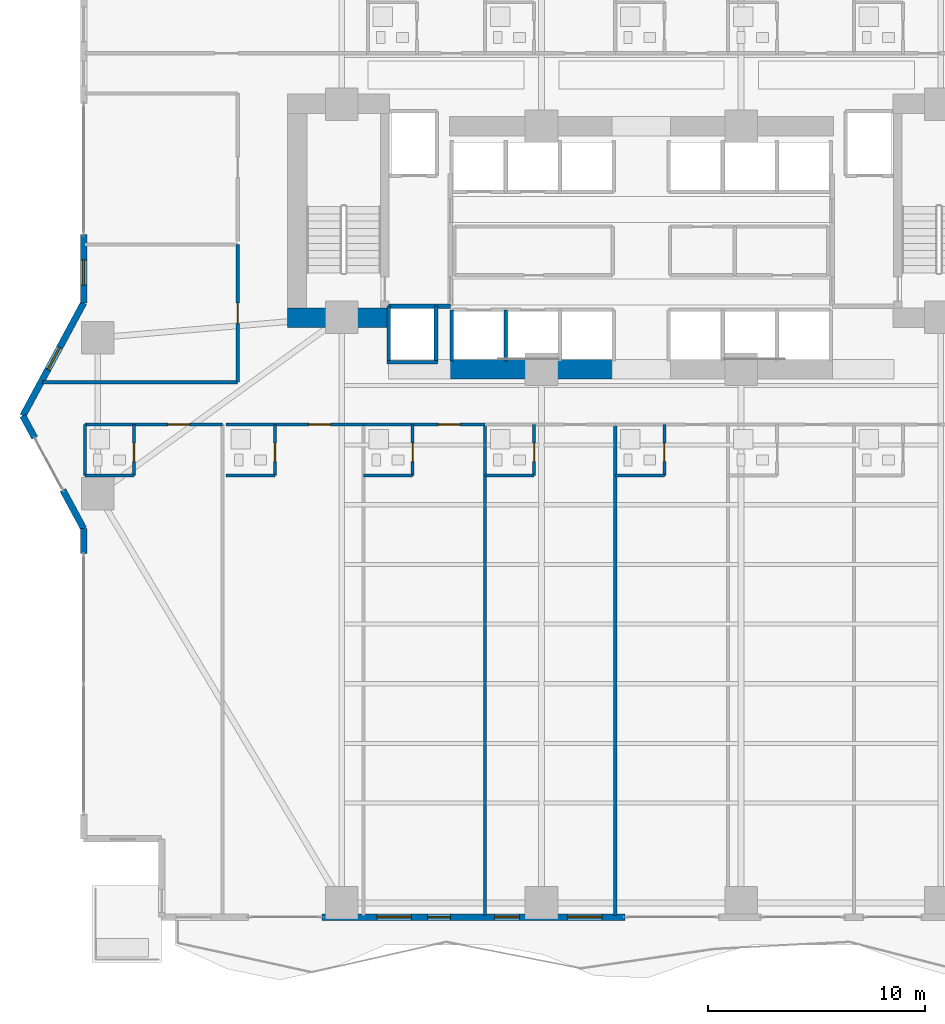
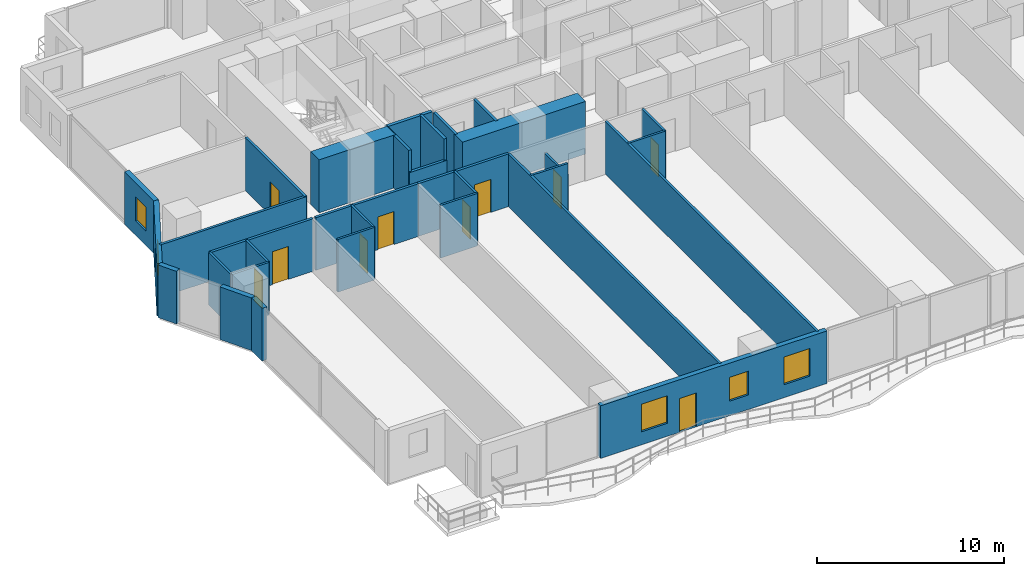
# One storey, part 18 of 28: 32 walls, 10 doors, 5 windows, 15 openings.
"""IFC4 building model written with IfcOpenShell, lengths in metres."""

from ifc_helpers import new_model, si_unit, direction, frame, frame_2d, origin, place, context, subcontext, project, spatial, rectangle, extrude, material, layer, layer_set, type_object, element, fill, save


model = new_model("IFC4")

# Units and contexts
model_context = context("Model", 3, precision=1e-05, world=origin(), true_north=direction((0.0, 1.0)))
body_context = subcontext(model_context, "Body", "Model", "MODEL_VIEW")
ifc_project = project(units=[si_unit("LENGTHUNIT", "METRE"), si_unit("AREAUNIT", "SQUARE_METRE"), si_unit("VOLUMEUNIT", "CUBIC_METRE"), si_unit("PLANEANGLEUNIT", "RADIAN"), si_unit("MASSUNIT", "GRAM", prefix="KILO")], contexts=[model_context])

# Site, building, storey
site_placement = place(None, origin())
site = spatial("IfcSite", under=ifc_project, at=site_placement, CompositionType="ELEMENT")
building_placement = place(site_placement, origin())
building = spatial("IfcBuilding", under=site, at=building_placement, Name="Zuhayl Quay Hotel", CompositionType="ELEMENT")
storey_placement = place(building_placement, frame((0.0, 0.0, 31.25)))
storey = spatial("IfcBuildingStorey", under=building, at=storey_placement, Name="L06", CompositionType="ELEMENT", Elevation=31.25)

# Walls
ifc_material_1 = material(Name="Concrete C70/85", Category="concrete")
ifc_layer_1 = layer(ifc_material_1, 0.89990234375, Name="Concrete C70/85", Category="concrete")
ifc_layer_set_1 = layer_set([ifc_layer_1], Name="Concrete C70/85")
wall_type_1 = type_object("IfcWallType", Name="WL_CORE_900", PredefinedType="SHEAR", material=ifc_layer_set_1)
wall_1_placement = place(storey_placement, frame((-16.31005859375, 4.52001953125, 0.0), z_axis=(0.0, 0.0, 1.0), x_axis=(1.0, 0.0, 0.0)))
element("IfcWall", 1, at=wall_1_placement, inside=storey, type_object=wall_type_1, Name="L06 Core Shear Wall CW_SW", PredefinedType="SHEAR", context=body_context, shape_type="SweptSolid", body=[
    extrude(rectangle(XDim=4.7099609375, YDim=0.89990234375, at=frame_2d((2.35498046875, 0.0))), origin(), (0.0, 0.0, 1.0), 3.4599609375),
])
wall_2_placement = place(storey_placement, frame((-8.85009765625, 2.14990234375, 0.0), z_axis=(0.0, 0.0, 1.0), x_axis=(1.0, 0.0, 0.0)))
element("IfcWall", 2, at=wall_2_placement, inside=storey, type_object=wall_type_1, Name="L06 Core Shear Wall CW_SC_W", PredefinedType="SHEAR", context=body_context, shape_type="SweptSolid", body=[
    extrude(rectangle(XDim=7.60009765625, YDim=0.89990234375, at=frame_2d((3.800048828125, 0.0))), origin(), (0.0, 0.0, 1.0), 3.429931640625),
])
ifc_material_2 = material(Name="Precast concrete C45/55", Category="concrete")
ifc_layer_2 = layer(ifc_material_2, 0.300048828125, Name="Precast concrete C45/55", Category="concrete")
ifc_layer_set_2 = layer_set([ifc_layer_2], Name="Precast concrete C45/55")
wall_type_2 = type_object("IfcWallType", Name="WL_EXT_300", PredefinedType="STANDARD", material=ifc_layer_set_2)
wall_3_placement = place(storey_placement, frame((-25.699951171875, -6.35009765625, 0.0), z_axis=(0.0, 0.0, 1.0), x_axis=(0.0, 1.0, 0.0)))
element("IfcWall", 3, at=wall_3_placement, inside=storey, type_object=wall_type_2, Name="L06 Exterior Precast Wall ENV_L06_E02_EW2", PredefinedType="STANDARD", context=body_context, shape_type="SweptSolid", body=[
    extrude(rectangle(XDim=1.150146484375, YDim=0.300048828125, at=frame_2d((0.5751953125, 0.0))), origin(), (0.0, 0.0, 1.0), 3.429931640625),
])
wall_4_placement = place(storey_placement, frame((-25.699951171875, -5.199951171875, 0.0), z_axis=(0.0, 0.0, 1.0), x_axis=(-0.474121438562, 0.88045946045, 0.0)))
element("IfcWall", 4, at=wall_4_placement, inside=storey, type_object=wall_type_2, Name="L06 Exterior Precast Wall ENV_L06_E03_EW1", PredefinedType="STANDARD", context=body_context, shape_type="SweptSolid", body=[
    extrude(rectangle(XDim=2.0205078125, YDim=0.300048828125, at=frame_2d((1.01025390625, 0.0))), origin(), (0.0, 0.0, 1.0), 3.429931640625),
])
wall_5_placement = place(storey_placement, frame((-27.954833984375, -1.012451171875, 0.0), z_axis=(0.0, 0.0, 1.0), x_axis=(-0.474099823035, 0.880471099922, 0.0)))
element("IfcWall", 5, at=wall_5_placement, inside=storey, type_object=wall_type_2, Name="L06 Exterior Precast Wall ENV_L06_E03_EW2", PredefinedType="STANDARD", context=body_context, shape_type="SweptSolid", body=[
    extrude(rectangle(XDim=1.14990234375, YDim=0.300048828125, at=frame_2d((0.574951171875, 0.0))), origin(), (0.0, 0.0, 1.0), 3.429931640625),
])

# Wall, opening, window
wall_6_placement = place(storey_placement, frame((-28.5, 0.0, 0.0), z_axis=(0.0, 0.0, 1.0), x_axis=(0.474109683532, 0.880465790352, 0.0)))
wall_6 = element("IfcWall", 6, at=wall_6_placement, inside=storey, type_object=wall_type_2, Name="L06 Exterior Precast Wall ENV_L06_E04_EW1", PredefinedType="STANDARD", context=body_context, shape_type="SweptSolid", body=[
    extrude(rectangle(XDim=5.906005859375, YDim=0.300048828125, at=frame_2d((2.953125, 0.0))), origin(), (0.0, 0.0, 1.0), 3.429931640625),
])
opening_1_placement = place(wall_6_placement, frame((2.43212890625, 0.0, 0.949951171875)))
opening_1 = element("IfcOpeningElement", 7, at=opening_1_placement, cuts=wall_6, Name="Opening W01N", PredefinedType="OPENING", context=body_context, shape_type="SweptSolid", body=[
    extrude(rectangle(XDim=1.14990234375, YDim=1.550048828125, at=frame_2d((0.574951171875, 0.77490234375))), frame((0.0, 0.159912109375, 0.0), z_axis=(0.0, -1.0, 0.0), x_axis=(1.0, 0.0, 0.0)), (0.0, 0.0, 1.0), 0.320068359375),
])
ifc_material_3 = material(Name="Dark Ceramic-Fritted Solar Glass", Category="glass")
window_type_1 = type_object("IfcWindowType", Name="WN_NOTCH_1350", PartitioningType="SINGLE_PANEL", PredefinedType="WINDOW", material=ifc_material_3)
window_1_placement = place(opening_1_placement, origin())
window_1 = element("IfcWindow", 8, at=window_1_placement, inside=storey, type_object=window_type_1, Name="L06 Operable Facade Window 1-1", OverallHeight=1.550048828125, OverallWidth=1.14990234375, PartitioningType="SINGLE_PANEL", PredefinedType="WINDOW", context=body_context, shape_type="SweptSolid", body=[
    extrude(rectangle(XDim=1.14990234375, YDim=1.550048828125, at=frame_2d((0.574951171875, 0.77490234375))), frame((0.0, 0.030029296875, 0.0), z_axis=(0.0, -1.0, 0.0), x_axis=(1.0, 0.0, 0.0)), (0.0, 0.0, 1.0), 0.06005859375),
])
fill(opening_1, window_1)

wall_7_placement = place(storey_placement, frame((-25.699951171875, 5.199951171875, 0.0), z_axis=(0.0, 0.0, 1.0), x_axis=(0.0, 1.0, 0.0)))
wall_7 = element("IfcWall", 9, at=wall_7_placement, inside=storey, type_object=wall_type_2, Name="L06 Exterior Precast Wall ENV_L06_E05_EW1", PredefinedType="STANDARD", context=body_context, shape_type="SweptSolid", body=[
    extrude(rectangle(XDim=3.150146484375, YDim=0.300048828125, at=frame_2d((1.5751953125, 0.0))), origin(), (0.0, 0.0, 1.0), 3.429931640625),
])
opening_2_placement = place(wall_7_placement, frame((0.8349609375, 0.0, 0.949951171875)))
opening_2 = element("IfcOpeningElement", 10, at=opening_2_placement, cuts=wall_7, Name="Opening W01N", PredefinedType="OPENING", context=body_context, shape_type="SweptSolid", body=[
    extrude(rectangle(XDim=1.14990234375, YDim=1.550048828125, at=frame_2d((0.574951171875, 0.77490234375))), frame((0.0, 0.159912109375, 0.0), z_axis=(0.0, -1.0, 0.0), x_axis=(1.0, 0.0, 0.0)), (0.0, 0.0, 1.0), 0.320068359375),
])
window_2_placement = place(opening_2_placement, origin())
window_2 = element("IfcWindow", 11, at=window_2_placement, inside=storey, type_object=window_type_1, Name="L06 Operable Facade Window 1-1", OverallHeight=1.550048828125, OverallWidth=1.14990234375, PartitioningType="SINGLE_PANEL", PredefinedType="WINDOW", context=body_context, shape_type="SweptSolid", body=[
    extrude(rectangle(XDim=1.14990234375, YDim=1.550048828125, at=frame_2d((0.574951171875, 0.77490234375))), frame((0.0, 0.030029296875, 0.0), z_axis=(0.0, -1.0, 0.0), x_axis=(1.0, 0.0, 0.0)), (0.0, 0.0, 1.0), 0.06005859375),
])
fill(opening_2, window_2)

# Wall, openings, door, windows
wall_8_placement = place(storey_placement, frame((-0.75, -23.10009765625, 0.0), z_axis=(0.0, 0.0, 1.0), x_axis=(-1.0, 0.0, 0.0)))
wall_8 = element("IfcWall", 12, at=wall_8_placement, inside=storey, type_object=wall_type_2, Name="L06 Exterior Precast Wall ENV_L06_S_EW5", PredefinedType="STANDARD", context=body_context, shape_type="SweptSolid", body=[
    extrude(rectangle(XDim=13.969970703125, YDim=0.300048828125, at=frame_2d((6.98486328125, 0.0))), origin(), (0.0, 0.0, 1.0), 3.429931640625),
])
opening_3_placement = place(wall_8_placement, frame((8.052978515625, 0.0, 0.0)))
opening_3 = element("IfcOpeningElement", 13, at=opening_3_placement, cuts=wall_8, Name="Opening DG1", PredefinedType="OPENING", context=body_context, shape_type="SweptSolid", body=[
    extrude(rectangle(XDim=1.050048828125, YDim=2.199951171875, at=frame_2d((0.52490234375, 1.10009765625))), frame((0.0, 0.159912109375, 0.0), z_axis=(0.0, -1.0, 0.0), x_axis=(1.0, 0.0, 0.0)), (0.0, 0.0, 1.0), 0.320068359375),
])
opening_4_placement = place(wall_8_placement, frame((1.06005859375, 0.0, 0.85009765625)))
opening_4 = element("IfcOpeningElement", 14, at=opening_4_placement, cuts=wall_8, Name="Opening W01", PredefinedType="OPENING", context=body_context, shape_type="SweptSolid", body=[
    extrude(rectangle(XDim=1.60009765625, YDim=1.800048828125, at=frame_2d((0.800048828125, 0.89990234375))), frame((0.0, 0.159912109375, 0.0), z_axis=(0.0, -1.0, 0.0), x_axis=(1.0, 0.0, 0.0)), (0.0, 0.0, 1.0), 0.320068359375),
])
opening_5_placement = place(wall_8_placement, frame((4.864990234375, 0.0, 0.949951171875)))
opening_5 = element("IfcOpeningElement", 15, at=opening_5_placement, cuts=wall_8, Name="Opening W01N", PredefinedType="OPENING", context=body_context, shape_type="SweptSolid", body=[
    extrude(rectangle(XDim=1.14990234375, YDim=1.550048828125, at=frame_2d((0.574951171875, 0.77490234375))), frame((0.0, 0.159912109375, 0.0), z_axis=(0.0, -1.0, 0.0), x_axis=(1.0, 0.0, 0.0)), (0.0, 0.0, 1.0), 0.320068359375),
])
opening_6_placement = place(wall_8_placement, frame((9.841552734375, 0.0, 0.85009765625)))
opening_6 = element("IfcOpeningElement", 16, at=opening_6_placement, cuts=wall_8, Name="Opening W01", PredefinedType="OPENING", context=body_context, shape_type="SweptSolid", body=[
    extrude(rectangle(XDim=1.60009765625, YDim=1.800048828125, at=frame_2d((0.800048828125, 0.89990234375))), frame((0.0, 0.159912109375, 0.0), z_axis=(0.0, -1.0, 0.0), x_axis=(1.0, 0.0, 0.0)), (0.0, 0.0, 1.0), 0.320068359375),
])
ifc_material_4 = material(Name="Anodised Aluminium and Dark Solar Glass", Category="aluminium")
door_type_1 = type_object("IfcDoorType", Name="DR_EXT_TERR_1050", OperationType="NOTDEFINED", PredefinedType="DOOR", material=ifc_material_4)
door_1_placement = place(opening_3_placement, origin())
door_1 = element("IfcDoor", 17, at=door_1_placement, inside=storey, type_object=door_type_1, Name="L06 South Rippling Balcony Door", OperationType="SINGLE_SWING_RIGHT", OverallHeight=2.199951171875, OverallWidth=1.050048828125, PredefinedType="DOOR", context=body_context, shape_type="SweptSolid", body=[
    extrude(rectangle(XDim=1.050048828125, YDim=2.199951171875, at=frame_2d((0.52490234375, 1.10009765625))), frame((0.0, 0.02490234375, 0.0), z_axis=(0.0, -1.0, 0.0), x_axis=(1.0, 0.0, 0.0)), (0.0, 0.0, 1.0), 0.050048828125),
])
fill(opening_3, door_1)
window_3_placement = place(opening_5_placement, origin())
window_3 = element("IfcWindow", 18, at=window_3_placement, inside=storey, type_object=window_type_1, Name="L06 Operable Facade Window 5-2", OverallHeight=1.550048828125, OverallWidth=1.14990234375, PartitioningType="SINGLE_PANEL", PredefinedType="WINDOW", context=body_context, shape_type="SweptSolid", body=[
    extrude(rectangle(XDim=1.14990234375, YDim=1.550048828125, at=frame_2d((0.574951171875, 0.77490234375))), frame((0.0, 0.030029296875, 0.0), z_axis=(0.0, -1.0, 0.0), x_axis=(1.0, 0.0, 0.0)), (0.0, 0.0, 1.0), 0.06005859375),
])
fill(opening_5, window_3)
window_type_2 = type_object("IfcWindowType", Name="WN_OPERABLE_1600", PartitioningType="DOUBLE_PANEL_VERTICAL", PredefinedType="WINDOW", material=ifc_material_3)
window_4_placement = place(opening_4_placement, origin())
window_4 = element("IfcWindow", 19, at=window_4_placement, inside=storey, type_object=window_type_2, Name="L06 Operable Facade Window 5-1", OverallHeight=1.800048828125, OverallWidth=1.60009765625, PartitioningType="SINGLE_PANEL", PredefinedType="WINDOW", context=body_context, shape_type="SweptSolid", body=[
    extrude(rectangle(XDim=1.60009765625, YDim=1.800048828125, at=frame_2d((0.800048828125, 0.89990234375))), frame((0.0, 0.030029296875, 0.0), z_axis=(0.0, -1.0, 0.0), x_axis=(1.0, 0.0, 0.0)), (0.0, 0.0, 1.0), 0.06005859375),
])
fill(opening_4, window_4)
window_5_placement = place(opening_6_placement, origin())
window_5 = element("IfcWindow", 20, at=window_5_placement, inside=storey, type_object=window_type_2, Name="L06 Operable Facade Window 5-3", OverallHeight=1.800048828125, OverallWidth=1.60009765625, PartitioningType="SINGLE_PANEL", PredefinedType="WINDOW", context=body_context, shape_type="SweptSolid", body=[
    extrude(rectangle(XDim=1.60009765625, YDim=1.800048828125, at=frame_2d((0.800048828125, 0.89990234375))), frame((0.0, 0.030029296875, 0.0), z_axis=(0.0, -1.0, 0.0), x_axis=(1.0, 0.0, 0.0)), (0.0, 0.0, 1.0), 0.06005859375),
])
fill(opening_6, window_5)

# Walls
ifc_material_5 = material(Name="Acoustic Gypsum Partition STC-58")
ifc_layer_3 = layer(ifc_material_5, 0.14990234375, Name="Acoustic Gypsum Partition STC-58")
ifc_layer_set_3 = layer_set([ifc_layer_3], Name="Acoustic Gypsum Partition STC-58")
wall_type_3 = type_object("IfcWallType", Name="WL_PART_150", PredefinedType="PARTITIONING", material=ifc_layer_set_3)
for number, where, z_axis, x_axis, name in (
    (21, (-7.199951171875, -23.02001953125, 0.0), (0.0, 0.0, 1.0), (0.0, 1.0, 0.0), "L06 Partition IW_L06_SU02_E"),
    (22, (-1.199951171875, -23.02001953125, 0.0), (0.0, 0.0, 1.0), (0.0, 1.0, 0.0), "L06 Partition IW_L06_SU03_E"),
):
    element("IfcWall", number, at=place(storey_placement, frame(where, z_axis=z_axis, x_axis=x_axis)), inside=storey, type_object=wall_type_3, Name=name, PredefinedType="PARTITIONING", context=body_context, shape_type="SweptSolid", body=[
        extrude(rectangle(XDim=22.6201171875, YDim=0.14990234375, at=frame_2d((11.31005859375, 0.0))), origin(), (0.0, 0.0, 1.0), 3.429931640625),
    ])
wall_9_placement = place(storey_placement, frame((-27.60546875, 1.550048828125, 0.0), z_axis=(0.0, 0.0, 1.0), x_axis=(1.0, 0.0, 0.0)))
element("IfcWall", 23, at=wall_9_placement, inside=storey, type_object=wall_type_3, Name="L06 Partition IW_L06_WPROW_1_S", PredefinedType="PARTITIONING", context=body_context, shape_type="SweptSolid", body=[
    extrude(rectangle(XDim=9.00537109375, YDim=0.14990234375, at=frame_2d((4.502685546875, 0.0))), origin(), (0.0, 0.0, 1.0), 3.429931640625),
])

# Wall, opening, door
ifc_layer_4 = layer(ifc_material_5, 0.159912109375, Name="Acoustic Gypsum Partition STC-58")
ifc_layer_set_4 = layer_set([ifc_layer_4], Name="Acoustic Gypsum Partition STC-58")
wall_type_4 = type_object("IfcWallType", Name="WL_PART_CORR_160", PredefinedType="PARTITIONING", material=ifc_layer_set_4)
wall_10_placement = place(storey_placement, frame((-25.639892578125, -0.39990234375, 0.0), z_axis=(0.0, 0.0, 1.0), x_axis=(1.0, 0.0, 0.0)))
wall_10 = element("IfcWall", 24, at=wall_10_placement, inside=storey, type_object=wall_type_4, Name="L06 Partition IW_L06_SU01A_COR", PredefinedType="PARTITIONING", context=body_context, shape_type="SweptSolid", body=[
    extrude(rectangle(XDim=6.33984375, YDim=0.159912109375, at=frame_2d((3.169921875, 0.0))), origin(), (0.0, 0.0, 1.0), 3.429931640625),
])
opening_7_placement = place(wall_10_placement, frame((3.820068359375, 0.0, 0.0)))
opening_7 = element("IfcOpeningElement", 25, at=opening_7_placement, cuts=wall_10, Name="Opening D03L", PredefinedType="OPENING", context=body_context, shape_type="SweptSolid", body=[
    extrude(rectangle(XDim=1.0, YDim=2.14990234375, at=frame_2d((0.5, 1.074951171875))), frame((0.0, 0.08984375, 0.0), z_axis=(0.0, -1.0, 0.0), x_axis=(1.0, 0.0, 0.0)), (0.0, 0.0, 1.0), 0.179931640625),
])
ifc_material_6 = material(Name="Solid Walnut Acoustic Fire Door")
door_type_2 = type_object("IfcDoorType", Name="DR_SUITE_1000", OperationType="NOTDEFINED", PredefinedType="DOOR", material=ifc_material_6)
door_2_placement = place(opening_7_placement, origin())
door_2 = element("IfcDoor", 26, at=door_2_placement, inside=storey, type_object=door_type_2, Name="L06 Premier Twin Junior Suite L06-01A Entrance Door", OperationType="SINGLE_SWING_LEFT", OverallHeight=2.14990234375, OverallWidth=1.0, PredefinedType="DOOR", context=body_context, shape_type="SweptSolid", body=[
    extrude(rectangle(XDim=1.0, YDim=2.14990234375, at=frame_2d((0.5, 1.074951171875))), frame((0.0, 0.02490234375, 0.0), z_axis=(0.0, -1.0, 0.0), x_axis=(1.0, 0.0, 0.0)), (0.0, 0.0, 1.0), 0.050048828125),
])
fill(opening_7, door_2)

wall_11_placement = place(storey_placement, frame((-19.139892578125, -0.39990234375, 0.0), z_axis=(0.0, 0.0, 1.0), x_axis=(1.0, 0.0, 0.0)))
wall_11 = element("IfcWall", 27, at=wall_11_placement, inside=storey, type_object=wall_type_4, Name="L06 Partition IW_L06_SU01B_COR", PredefinedType="PARTITIONING", context=body_context, shape_type="SweptSolid", body=[
    extrude(rectangle(XDim=6.33984375, YDim=0.159912109375, at=frame_2d((3.169921875, 0.0))), origin(), (0.0, 0.0, 1.0), 3.429931640625),
])
opening_8_placement = place(wall_11_placement, frame((3.820068359375, 0.0, 0.0)))
opening_8 = element("IfcOpeningElement", 28, at=opening_8_placement, cuts=wall_11, Name="Opening D03L", PredefinedType="OPENING", context=body_context, shape_type="SweptSolid", body=[
    extrude(rectangle(XDim=1.0, YDim=2.14990234375, at=frame_2d((0.5, 1.074951171875))), frame((0.0, 0.08984375, 0.0), z_axis=(0.0, -1.0, 0.0), x_axis=(1.0, 0.0, 0.0)), (0.0, 0.0, 1.0), 0.179931640625),
])
door_3_placement = place(opening_8_placement, origin())
door_3 = element("IfcDoor", 29, at=door_3_placement, inside=storey, type_object=door_type_2, Name="L06 Premier Twin Junior Suite L06-01B Entrance Door", OperationType="SINGLE_SWING_LEFT", OverallHeight=2.14990234375, OverallWidth=1.0, PredefinedType="DOOR", context=body_context, shape_type="SweptSolid", body=[
    extrude(rectangle(XDim=1.0, YDim=2.14990234375, at=frame_2d((0.5, 1.074951171875))), frame((0.0, 0.02490234375, 0.0), z_axis=(0.0, -1.0, 0.0), x_axis=(1.0, 0.0, 0.0)), (0.0, 0.0, 1.0), 0.050048828125),
])
fill(opening_8, door_3)

wall_12_placement = place(storey_placement, frame((-12.800048828125, -0.39990234375, 0.0), z_axis=(0.0, 0.0, 1.0), x_axis=(1.0, 0.0, 0.0)))
wall_12 = element("IfcWall", 30, at=wall_12_placement, inside=storey, type_object=wall_type_4, Name="L06 Partition IW_L06_SU02_COR", PredefinedType="PARTITIONING", context=body_context, shape_type="SweptSolid", body=[
    extrude(rectangle(XDim=5.60009765625, YDim=0.159912109375, at=frame_2d((2.800048828125, 0.0))), origin(), (0.0, 0.0, 1.0), 3.429931640625),
])
opening_9_placement = place(wall_12_placement, frame((3.449951171875, 0.0, 0.0)))
opening_9 = element("IfcOpeningElement", 31, at=opening_9_placement, cuts=wall_12, Name="Opening D03L", PredefinedType="OPENING", context=body_context, shape_type="SweptSolid", body=[
    extrude(rectangle(XDim=1.0, YDim=2.14990234375, at=frame_2d((0.5, 1.074951171875))), frame((0.0, 0.08984375, 0.0), z_axis=(0.0, -1.0, 0.0), x_axis=(1.0, 0.0, 0.0)), (0.0, 0.0, 1.0), 0.179931640625),
])
door_4_placement = place(opening_9_placement, origin())
door_4 = element("IfcDoor", 32, at=door_4_placement, inside=storey, type_object=door_type_2, Name="L06 Premier Twin Junior Suite L06-02 Entrance Door", OperationType="SINGLE_SWING_LEFT", OverallHeight=2.14990234375, OverallWidth=1.0, PredefinedType="DOOR", context=body_context, shape_type="SweptSolid", body=[
    extrude(rectangle(XDim=1.0, YDim=2.14990234375, at=frame_2d((0.5, 1.074951171875))), frame((0.0, 0.02490234375, 0.0), z_axis=(0.0, -1.0, 0.0), x_axis=(1.0, 0.0, 0.0)), (0.0, 0.0, 1.0), 0.050048828125),
])
fill(opening_9, door_4)

wall_13_placement = place(storey_placement, frame((-18.60009765625, 1.550048828125, 0.0), z_axis=(0.0, 0.0, 1.0), x_axis=(0.0, 1.0, 0.0)))
wall_13 = element("IfcWall", 33, at=wall_13_placement, inside=storey, type_object=wall_type_4, Name="L06 Partition IW_L06_WPROW_1_E", PredefinedType="PARTITIONING", context=body_context, shape_type="SweptSolid", body=[
    extrude(rectangle(XDim=6.349853515625, YDim=0.159912109375, at=frame_2d((3.1748046875, 0.0))), origin(), (0.0, 0.0, 1.0), 3.429931640625),
])
opening_10_placement = place(wall_13_placement, frame((2.699951171875, 0.0, 0.0)))
opening_10 = element("IfcOpeningElement", 34, at=opening_10_placement, cuts=wall_13, Name="Opening D03", PredefinedType="OPENING", context=body_context, shape_type="SweptSolid", body=[
    extrude(rectangle(XDim=0.949951171875, YDim=2.14990234375, at=frame_2d((0.47509765625, 1.074951171875))), frame((0.0, 0.08984375, 0.0), z_axis=(0.0, -1.0, 0.0), x_axis=(1.0, 0.0, 0.0)), (0.0, 0.0, 1.0), 0.179931640625),
])
door_type_3 = type_object("IfcDoorType", Name="DR_SUITE_950", OperationType="NOTDEFINED", PredefinedType="DOOR", material=ifc_material_6)
door_5_placement = place(opening_10_placement, origin())
door_5 = element("IfcDoor", 35, at=door_5_placement, inside=storey, type_object=door_type_3, Name="L06 West Prow Office L06 Door", OperationType="SINGLE_SWING_LEFT", OverallHeight=2.14990234375, OverallWidth=0.949951171875, PredefinedType="DOOR", context=body_context, shape_type="SweptSolid", body=[
    extrude(rectangle(XDim=0.949951171875, YDim=2.14990234375, at=frame_2d((0.47509765625, 1.074951171875))), frame((0.0, 0.02490234375, 0.0), z_axis=(0.0, -1.0, 0.0), x_axis=(1.0, 0.0, 0.0)), (0.0, 0.0, 1.0), 0.050048828125),
])
fill(opening_10, door_5)

ifc_material_7 = material(Name="Moisture-Resistant Sanitarychase Gypsum")
ifc_layer_5 = layer(ifc_material_7, 0.135009765625, Name="Moisture-Resistant Sanitarychase Gypsum")
ifc_layer_set_5 = layer_set([ifc_layer_5], Name="Moisture-Resistant Sanitarychase Gypsum")
wall_type_5 = type_object("IfcWallType", Name="WL_PART_PLUMB_150", PredefinedType="PLUMBINGWALL", material=ifc_layer_set_5)
wall_14_placement = place(storey_placement, frame((-23.3798828125, -2.760009765625, 0.0), z_axis=(0.0, 0.0, 1.0), x_axis=(0.0, 1.0, 0.0)))
wall_14 = element("IfcWall", 36, at=wall_14_placement, inside=storey, type_object=wall_type_5, Name="L06 Partition IW_L06_SU01A_BE", PredefinedType="PLUMBINGWALL", context=body_context, shape_type="SweptSolid", body=[
    extrude(rectangle(XDim=2.360107421875, YDim=0.135009765625, at=frame_2d((1.18017578125, 0.0))), origin(), (0.0, 0.0, 1.0), 3.429931640625),
])
opening_11_placement = place(wall_14_placement, frame((0.64990234375, 0.0, 0.0)))
opening_11 = element("IfcOpeningElement", 37, at=opening_11_placement, cuts=wall_14, Name="Opening D04", PredefinedType="OPENING", context=body_context, shape_type="SweptSolid", body=[
    extrude(rectangle(XDim=0.85009765625, YDim=2.10009765625, at=frame_2d((0.425048828125, 1.050048828125))), frame((0.0, 0.077392578125, 0.0), z_axis=(0.0, -1.0, 0.0), x_axis=(1.0, 0.0, 0.0)), (0.0, 0.0, 1.0), 0.155029296875),
])
ifc_material_8 = material(Name="Moisture-Resistant Walnut Veneer")
door_type_4 = type_object("IfcDoorType", Name="DR_BATH_850", OperationType="NOTDEFINED", PredefinedType="DOOR", material=ifc_material_8)
door_6_placement = place(opening_11_placement, origin())
door_6 = element("IfcDoor", 38, at=door_6_placement, inside=storey, type_object=door_type_4, Name="L06 Premier Twin Junior Suite L06-01A En-Suite Door", OperationType="SINGLE_SWING_RIGHT", OverallHeight=2.10009765625, OverallWidth=0.85009765625, PredefinedType="DOOR", context=body_context, shape_type="SweptSolid", body=[
    extrude(rectangle(XDim=0.85009765625, YDim=2.10009765625, at=frame_2d((0.425048828125, 1.050048828125))), frame((0.0, 0.02490234375, 0.0), z_axis=(0.0, -1.0, 0.0), x_axis=(1.0, 0.0, 0.0)), (0.0, 0.0, 1.0), 0.050048828125),
])
fill(opening_11, door_6)

wall_15_placement = place(storey_placement, frame((-16.8798828125, -2.760009765625, 0.0), z_axis=(0.0, 0.0, 1.0), x_axis=(0.0, 1.0, 0.0)))
wall_15 = element("IfcWall", 39, at=wall_15_placement, inside=storey, type_object=wall_type_5, Name="L06 Partition IW_L06_SU01B_BE", PredefinedType="PLUMBINGWALL", context=body_context, shape_type="SweptSolid", body=[
    extrude(rectangle(XDim=2.360107421875, YDim=0.135009765625, at=frame_2d((1.18017578125, 0.0))), origin(), (0.0, 0.0, 1.0), 3.429931640625),
])
opening_12_placement = place(wall_15_placement, frame((0.64990234375, 0.0, 0.0)))
opening_12 = element("IfcOpeningElement", 40, at=opening_12_placement, cuts=wall_15, Name="Opening D04", PredefinedType="OPENING", context=body_context, shape_type="SweptSolid", body=[
    extrude(rectangle(XDim=0.85009765625, YDim=2.10009765625, at=frame_2d((0.425048828125, 1.050048828125))), frame((0.0, 0.077392578125, 0.0), z_axis=(0.0, -1.0, 0.0), x_axis=(1.0, 0.0, 0.0)), (0.0, 0.0, 1.0), 0.155029296875),
])
door_7_placement = place(opening_12_placement, origin())
door_7 = element("IfcDoor", 41, at=door_7_placement, inside=storey, type_object=door_type_4, Name="L06 Premier Twin Junior Suite L06-01B En-Suite Door", OperationType="SINGLE_SWING_RIGHT", OverallHeight=2.10009765625, OverallWidth=0.85009765625, PredefinedType="DOOR", context=body_context, shape_type="SweptSolid", body=[
    extrude(rectangle(XDim=0.85009765625, YDim=2.10009765625, at=frame_2d((0.425048828125, 1.050048828125))), frame((0.0, 0.02490234375, 0.0), z_axis=(0.0, -1.0, 0.0), x_axis=(1.0, 0.0, 0.0)), (0.0, 0.0, 1.0), 0.050048828125),
])
fill(opening_12, door_7)

wall_16_placement = place(storey_placement, frame((-10.5400390625, -2.760009765625, 0.0), z_axis=(0.0, 0.0, 1.0), x_axis=(0.0, 1.0, 0.0)))
wall_16 = element("IfcWall", 42, at=wall_16_placement, inside=storey, type_object=wall_type_5, Name="L06 Partition IW_L06_SU02_BE", PredefinedType="PLUMBINGWALL", context=body_context, shape_type="SweptSolid", body=[
    extrude(rectangle(XDim=2.360107421875, YDim=0.135009765625, at=frame_2d((1.18017578125, 0.0))), origin(), (0.0, 0.0, 1.0), 3.429931640625),
])
opening_13_placement = place(wall_16_placement, frame((0.64990234375, 0.0, 0.0)))
opening_13 = element("IfcOpeningElement", 43, at=opening_13_placement, cuts=wall_16, Name="Opening D04", PredefinedType="OPENING", context=body_context, shape_type="SweptSolid", body=[
    extrude(rectangle(XDim=0.85009765625, YDim=2.10009765625, at=frame_2d((0.425048828125, 1.050048828125))), frame((0.0, 0.077392578125, 0.0), z_axis=(0.0, -1.0, 0.0), x_axis=(1.0, 0.0, 0.0)), (0.0, 0.0, 1.0), 0.155029296875),
])
door_8_placement = place(opening_13_placement, origin())
door_8 = element("IfcDoor", 44, at=door_8_placement, inside=storey, type_object=door_type_4, Name="L06 Premier Twin Junior Suite L06-02 En-Suite Door", OperationType="SINGLE_SWING_RIGHT", OverallHeight=2.10009765625, OverallWidth=0.85009765625, PredefinedType="DOOR", context=body_context, shape_type="SweptSolid", body=[
    extrude(rectangle(XDim=0.85009765625, YDim=2.10009765625, at=frame_2d((0.425048828125, 1.050048828125))), frame((0.0, 0.02490234375, 0.0), z_axis=(0.0, -1.0, 0.0), x_axis=(1.0, 0.0, 0.0)), (0.0, 0.0, 1.0), 0.050048828125),
])
fill(opening_13, door_8)

wall_17_placement = place(storey_placement, frame((-4.93994140625, -2.760009765625, 0.0), z_axis=(0.0, 0.0, 1.0), x_axis=(0.0, 1.0, 0.0)))
wall_17 = element("IfcWall", 45, at=wall_17_placement, inside=storey, type_object=wall_type_5, Name="L06 Partition IW_L06_SU03_BE", PredefinedType="PLUMBINGWALL", context=body_context, shape_type="SweptSolid", body=[
    extrude(rectangle(XDim=2.360107421875, YDim=0.135009765625, at=frame_2d((1.18017578125, 0.0))), origin(), (0.0, 0.0, 1.0), 2.66796875),
])
opening_14_placement = place(wall_17_placement, frame((0.64990234375, 0.0, 0.0)))
opening_14 = element("IfcOpeningElement", 46, at=opening_14_placement, cuts=wall_17, Name="Opening D04", PredefinedType="OPENING", context=body_context, shape_type="SweptSolid", body=[
    extrude(rectangle(XDim=0.85009765625, YDim=2.10009765625, at=frame_2d((0.425048828125, 1.050048828125))), frame((0.0, 0.077392578125, 0.0), z_axis=(0.0, -1.0, 0.0), x_axis=(1.0, 0.0, 0.0)), (0.0, 0.0, 1.0), 0.155029296875),
])
door_9_placement = place(opening_14_placement, origin())
door_9 = element("IfcDoor", 47, at=door_9_placement, inside=storey, type_object=door_type_4, Name="L06 Premier Twin Junior Suite L06-03 En-Suite Door", OperationType="SINGLE_SWING_RIGHT", OverallHeight=2.10009765625, OverallWidth=0.85009765625, PredefinedType="DOOR", context=body_context, shape_type="SweptSolid", body=[
    extrude(rectangle(XDim=0.85009765625, YDim=2.10009765625, at=frame_2d((0.425048828125, 1.050048828125))), frame((0.0, 0.02490234375, 0.0), z_axis=(0.0, -1.0, 0.0), x_axis=(1.0, 0.0, 0.0)), (0.0, 0.0, 1.0), 0.050048828125),
])
fill(opening_14, door_9)

wall_18_placement = place(storey_placement, frame((1.06005859375, -2.760009765625, 0.0), z_axis=(0.0, 0.0, 1.0), x_axis=(0.0, 1.0, 0.0)))
wall_18 = element("IfcWall", 48, at=wall_18_placement, inside=storey, type_object=wall_type_5, Name="L06 Partition IW_L06_SU04_BE", PredefinedType="PLUMBINGWALL", context=body_context, shape_type="SweptSolid", body=[
    extrude(rectangle(XDim=2.360107421875, YDim=0.135009765625, at=frame_2d((1.18017578125, 0.0))), origin(), (0.0, 0.0, 1.0), 3.429931640625),
])
opening_15_placement = place(wall_18_placement, frame((0.64990234375, 0.0, 0.0)))
opening_15 = element("IfcOpeningElement", 49, at=opening_15_placement, cuts=wall_18, Name="Opening D04", PredefinedType="OPENING", context=body_context, shape_type="SweptSolid", body=[
    extrude(rectangle(XDim=0.85009765625, YDim=2.10009765625, at=frame_2d((0.425048828125, 1.050048828125))), frame((0.0, 0.077392578125, 0.0), z_axis=(0.0, -1.0, 0.0), x_axis=(1.0, 0.0, 0.0)), (0.0, 0.0, 1.0), 0.155029296875),
])
door_10_placement = place(opening_15_placement, origin())
door_10 = element("IfcDoor", 50, at=door_10_placement, inside=storey, type_object=door_type_4, Name="L06 Premier Twin Junior Suite L06-04 En-Suite Door", OperationType="SINGLE_SWING_RIGHT", OverallHeight=2.10009765625, OverallWidth=0.85009765625, PredefinedType="DOOR", context=body_context, shape_type="SweptSolid", body=[
    extrude(rectangle(XDim=0.85009765625, YDim=2.10009765625, at=frame_2d((0.425048828125, 1.050048828125))), frame((0.0, 0.02490234375, 0.0), z_axis=(0.0, -1.0, 0.0), x_axis=(1.0, 0.0, 0.0)), (0.0, 0.0, 1.0), 0.050048828125),
])
fill(opening_15, door_10)

# Walls
wall_19_placement = place(storey_placement, frame((-25.639892578125, -2.760009765625, 0.0), z_axis=(0.0, 0.0, 1.0), x_axis=(1.0, 0.0, 0.0)))
element("IfcWall", 51, at=wall_19_placement, inside=storey, type_object=wall_type_5, Name="L06 Partition IW_L06_SU01A_BS", PredefinedType="PLUMBINGWALL", context=body_context, shape_type="SweptSolid", body=[
    extrude(rectangle(XDim=2.260009765625, YDim=0.135009765625, at=frame_2d((1.1298828125, 0.0))), origin(), (0.0, 0.0, 1.0), 3.429931640625),
])
wall_20_placement = place(storey_placement, frame((-25.639892578125, -2.760009765625, 0.0), z_axis=(0.0, 0.0, 1.0), x_axis=(0.0, 1.0, 0.0)))
element("IfcWall", 52, at=wall_20_placement, inside=storey, type_object=wall_type_5, Name="L06 Partition IW_L06_SU01A_BW", PredefinedType="PLUMBINGWALL", context=body_context, shape_type="SweptSolid", body=[
    extrude(rectangle(XDim=2.360107421875, YDim=0.135009765625, at=frame_2d((1.18017578125, 0.0))), origin(), (0.0, 0.0, 1.0), 3.429931640625),
])
for number, where, z_axis, x_axis, name in (
    (53, (-19.139892578125, -2.760009765625, 0.0), (0.0, 0.0, 1.0), (1.0, 0.0, 0.0), "L06 Partition IW_L06_SU01B_BS"),
    (54, (-12.800048828125, -2.760009765625, 0.0), (0.0, 0.0, 1.0), (1.0, 0.0, 0.0), "L06 Partition IW_L06_SU02_BS"),
    (55, (-7.199951171875, -2.760009765625, 0.0), (0.0, 0.0, 1.0), (1.0, 0.0, 0.0), "L06 Partition IW_L06_SU03_BS"),
    (56, (-1.199951171875, -2.760009765625, 0.0), (0.0, 0.0, 1.0), (1.0, 0.0, 0.0), "L06 Partition IW_L06_SU04_BS"),
):
    element("IfcWall", number, at=place(storey_placement, frame(where, z_axis=z_axis, x_axis=x_axis)), inside=storey, type_object=wall_type_5, Name=name, PredefinedType="PLUMBINGWALL", context=body_context, shape_type="SweptSolid", body=[
        extrude(rectangle(XDim=2.260009765625, YDim=0.135009765625, at=frame_2d((1.1298828125, 0.0))), origin(), (0.0, 0.0, 1.0), 3.429931640625),
    ])
ifc_material_9 = material(Name="Gypsum Fireboard Assembly EI-90")
ifc_layer_6 = layer(ifc_material_9, 0.1650390625, Name="Gypsum Fireboard Assembly EI-90")
ifc_layer_set_6 = layer_set([ifc_layer_6], Name="Gypsum Fireboard Assembly EI-90")
wall_type_6 = type_object("IfcWallType", Name="WL_PART_SHAFT_160", PredefinedType="PARTITIONING", material=ifc_layer_set_6)
for number, where, z_axis, x_axis, name in (
    (57, (-8.72998046875, 2.52001953125, 0.0), (0.0, 0.0, 1.0), (0.0, 1.0, 0.0), "L06 Partition IW_L06_SH_LP1_W"),
    (58, (-6.25, 2.52001953125, 0.0), (0.0, 0.0, 1.0), (0.0, 1.0, 0.0), "L06 Partition IW_L06_SH_LP1_E"),
):
    element("IfcWall", number, at=place(storey_placement, frame(where, z_axis=z_axis, x_axis=x_axis)), inside=storey, type_object=wall_type_6, Name=name, PredefinedType="PARTITIONING", context=body_context, shape_type="SweptSolid", body=[
        extrude(rectangle(XDim=2.35986328125, YDim=0.1650390625, at=frame_2d((1.179931640625, 0.0))), origin(), (0.0, 0.0, 1.0), 3.429931640625),
    ])
wall_21_placement = place(storey_placement, frame((-11.6298828125, 2.469970703125, 0.0), z_axis=(0.0, 0.0, 1.0), x_axis=(0.0, 1.0, 0.0)))
element("IfcWall", 59, at=wall_21_placement, inside=storey, type_object=wall_type_6, Name="L06 Partition IW_L06_RISER_W", PredefinedType="PARTITIONING", context=body_context, shape_type="SweptSolid", body=[
    extrude(rectangle(XDim=2.580078125, YDim=0.1650390625, at=frame_2d((1.2900390625, 0.0))), origin(), (0.0, 0.0, 1.0), 3.429931640625),
])
wall_22_placement = place(storey_placement, frame((-11.7099609375, 2.469970703125, 0.0), z_axis=(0.0, 0.0, 1.0), x_axis=(1.0, 0.0, 0.0)))
element("IfcWall", 60, at=wall_22_placement, inside=storey, type_object=wall_type_6, Name="L06 Partition IW_L06_RISER_S", PredefinedType="PARTITIONING", context=body_context, shape_type="SweptSolid", body=[
    extrude(rectangle(XDim=2.31005859375, YDim=0.1650390625, at=frame_2d((1.155029296875, 0.0))), origin(), (0.0, 0.0, 1.0), 2.030029296875),
])
ifc_layer_7 = layer(ifc_material_9, 0.179931640625, Name="Gypsum Fireboard Assembly EI-90")
ifc_layer_set_7 = layer_set([ifc_layer_7], Name="Gypsum Fireboard Assembly EI-90")
wall_type_7 = type_object("IfcWallType", Name="WL_PART_SHAFT_180", PredefinedType="PARTITIONING", material=ifc_layer_set_7)
wall_23_placement = place(storey_placement, frame((-9.469970703125, 2.449951171875, 0.0), z_axis=(0.0, 0.0, 1.0), x_axis=(0.0, 1.0, 0.0)))
element("IfcWall", 61, at=wall_23_placement, inside=storey, type_object=wall_type_7, Name="L06 Partition IW_L06_RISER_E", PredefinedType="PARTITIONING", context=body_context, shape_type="SweptSolid", body=[
    extrude(rectangle(XDim=2.60009765625, YDim=0.179931640625, at=frame_2d((1.300048828125, 0.0))), origin(), (0.0, 0.0, 1.0), 3.429931640625),
])
ifc_material_10 = material(Name="Gypsum Fireboard Assembly EI-120")
ifc_layer_8 = layer(ifc_material_10, 0.199951171875, Name="Gypsum Fireboard Assembly EI-120")
ifc_layer_set_8 = layer_set([ifc_layer_8], Name="Gypsum Fireboard Assembly EI-120")
wall_type_8 = type_object("IfcWallType", Name="WL_PART_SHAFT_200", PredefinedType="PARTITIONING", material=ifc_layer_set_8)
wall_24_placement = place(storey_placement, frame((-11.64990234375, 5.050048828125, 0.0), z_axis=(0.0, 0.0, 1.0), x_axis=(1.0, 0.0, 0.0)))
element("IfcWall", 62, at=wall_24_placement, inside=storey, type_object=wall_type_8, Name="L06 Partition IW_L06_FSAE_W_S", PredefinedType="PARTITIONING", context=body_context, shape_type="SweptSolid", body=[
    extrude(rectangle(XDim=2.849853515625, YDim=0.199951171875, at=frame_2d((1.4248046875, 0.0))), origin(), (0.0, 0.0, 1.0), 3.429931640625),
])

save(model, "model.ifc")
